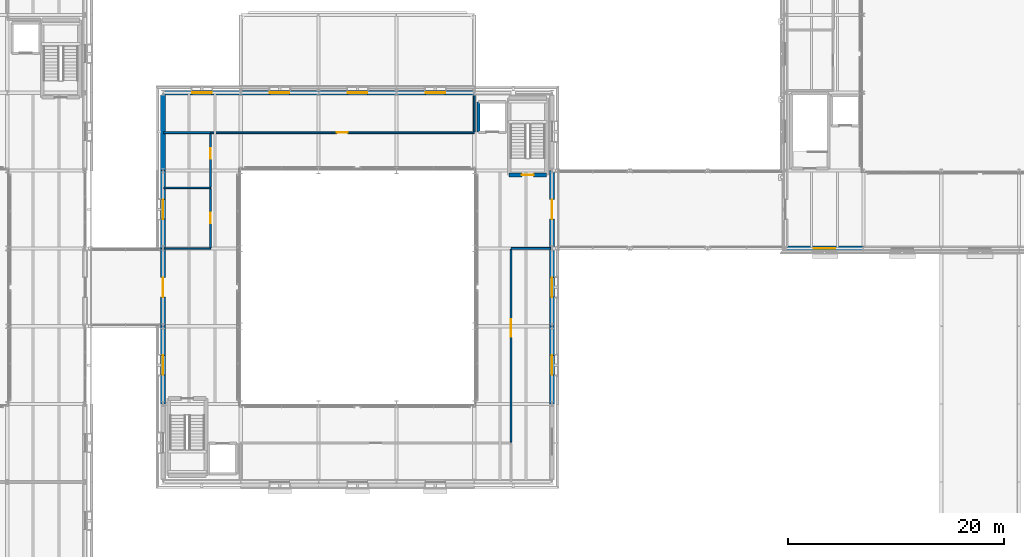
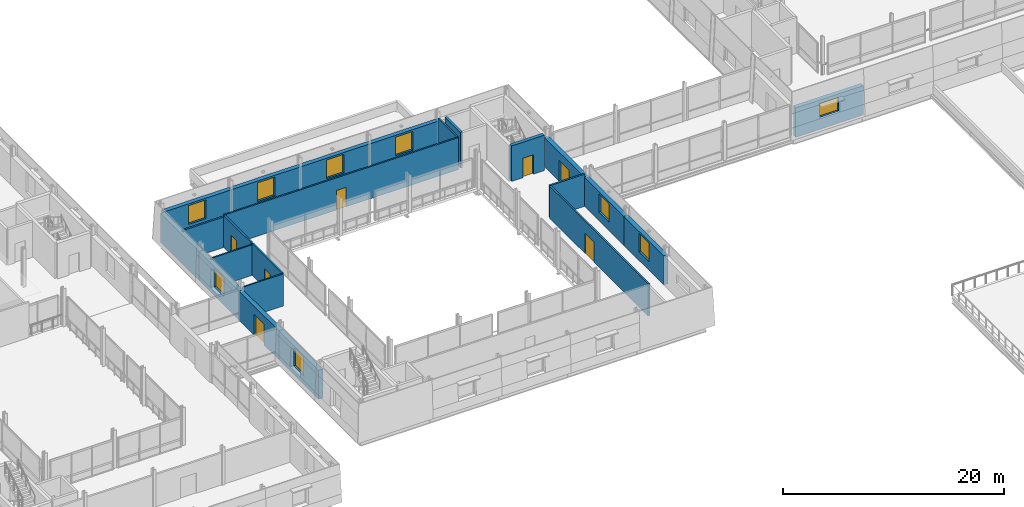
# One storey, part 73 of 115: 23 walls, 9 windows, 7 doors, 16 openings.
"""IFC4 building model written with IfcOpenShell, lengths in metres."""

from ifc_helpers import new_model, si_unit, direction, frame, frame_2d, origin, place, context, subcontext, project, spatial, rectangle, extrude, material, layer, layer_set, type_object, element, fill, save


model = new_model("IFC4")

# Units and contexts
model_context = context("Model", 3, precision=1e-05, world=origin(), true_north=direction((0.0, 1.0)))
body_context = subcontext(model_context, "Body", "Model", "MODEL_VIEW")
ifc_project = project(units=[si_unit("LENGTHUNIT", "METRE"), si_unit("AREAUNIT", "SQUARE_METRE"), si_unit("VOLUMEUNIT", "CUBIC_METRE"), si_unit("PLANEANGLEUNIT", "RADIAN"), si_unit("MASSUNIT", "GRAM", prefix="KILO")], contexts=[model_context])

# Site, building, storey
site_placement = place(None, origin())
site = spatial("IfcSite", under=ifc_project, at=site_placement, CompositionType="ELEMENT")
building_placement = place(site_placement, origin())
building = spatial("IfcBuilding", under=site, at=building_placement, Name="Narikvali Park Central Library", CompositionType="ELEMENT")
storey_placement = place(building_placement, frame((0.0, 0.0, 10.199951171875)))
storey = spatial("IfcBuildingStorey", under=building, at=storey_placement, Name="L02", CompositionType="ELEMENT", Elevation=10.199951171875)

# Walls
ifc_material_1 = material(Name="Moisture-Resistant Cement Board on Steel Studs", Category="steel")
ifc_layer_1 = layer(ifc_material_1, 0.14990234375, Name="Moisture-Resistant Cement Board on Steel Studs")
ifc_layer_set_1 = layer_set([ifc_layer_1], Name="Moisture-Resistant Cement Board on Steel Studs")
wall_type_1 = type_object("IfcWallType", Name="Moisture-Resistant WC Partition 150", PredefinedType="PARTITIONING", material=ifc_layer_set_1)
wall_1_placement = place(storey_placement, frame((64.9541015625, 79.199951171875, 0.0), z_axis=(0.0, 0.0, 1.0), x_axis=(1.0, 0.0, 0.0)))
element("IfcWall", 1, at=wall_1_placement, inside=storey, type_object=wall_type_1, Name="Accessible WC and Restrooms L02 Partition S", PredefinedType="PARTITIONING", context=body_context, shape_type="SweptSolid", body=[
    extrude(rectangle(XDim=4.245849609375, YDim=0.14990234375, at=frame_2d((2.123046875, 0.0))), origin(), (0.0, 0.0, 1.0), 3.545166015625),
])
wall_2_placement = place(storey_placement, frame((64.85498046875, 84.800048828125, 0.0), z_axis=(0.0, 0.0, 1.0), x_axis=(1.0, 0.0, 0.0)))
element("IfcWall", 2, at=wall_2_placement, inside=storey, type_object=wall_type_1, Name="Accessible WC and Restrooms L02 Partition N", PredefinedType="PARTITIONING", context=body_context, shape_type="SweptSolid", body=[
    extrude(rectangle(XDim=4.344970703125, YDim=0.14990234375, at=frame_2d((2.17236328125, 0.0))), origin(), (0.0, 0.0, 1.0), 3.35498046875),
])

# Wall, opening, door
wall_3_placement = place(storey_placement, frame((69.199951171875, 79.277099609375, 0.0), z_axis=(0.0, 0.0, 1.0), x_axis=(0.0, 1.0, 0.0)))
wall_3 = element("IfcWall", 3, at=wall_3_placement, inside=storey, type_object=wall_type_1, Name="Accessible WC and Restrooms L02 Partition E", PredefinedType="PARTITIONING", context=body_context, shape_type="SweptSolid", body=[
    extrude(rectangle(XDim=5.44580078125, YDim=0.14990234375, at=frame_2d((2.722900390625, 0.0))), origin(), (0.0, 0.0, 1.0), 3.545166015625),
])
opening_1_placement = place(wall_3_placement, frame((2.23291015625, 0.0, 0.0)))
opening_1 = element("IfcOpeningElement", 4, at=opening_1_placement, cuts=wall_3, Name="Opening ID-0003", PredefinedType="OPENING", context=body_context, shape_type="SweptSolid", body=[
    extrude(rectangle(XDim=0.97998046875, YDim=2.10009765625, at=frame_2d((0.489990234375, 1.050048828125))), frame((0.0, 0.0869140625, 0.0), z_axis=(0.0, -1.0, 0.0), x_axis=(1.0, 0.0, 0.0)), (0.0, 0.0, 1.0), 0.173828125),
])
ifc_material_2 = material(Name="Laminate Faced Hardwood Core", Category="wood")
door_type_1 = type_object("IfcDoorType", Name="Accessible WC Outward-Opening Door 980x2100", OperationType="SINGLE_SWING_RIGHT", PredefinedType="DOOR", material=ifc_material_2)
door_1_placement = place(opening_1_placement, frame((0.97998046875, 0.0, 0.0), z_axis=(0.0, 0.0, 1.0), x_axis=(-1.0, 0.0, 0.0)))
door_1 = element("IfcDoor", 5, at=door_1_placement, inside=storey, type_object=door_type_1, Name="Accessible WC and Restrooms L02 Door ID-0003", OperationType="SINGLE_SWING_LEFT", OverallHeight=2.10009765625, OverallWidth=0.97998046875, PredefinedType="DOOR", context=body_context, shape_type="SweptSolid", body=[
    extrude(rectangle(XDim=0.97998046875, YDim=2.10009765625, at=frame_2d((0.489990234375, 1.050048828125))), frame((0.0, 0.02490234375, 0.0), z_axis=(0.0, -1.0, 0.0), x_axis=(1.0, 0.0, 0.0)), (0.0, 0.0, 1.0), 0.050048828125),
])
fill(opening_1, door_1)

# Walls
ifc_material_3 = material(Name="Acoustic Gypsum on Steel Studs", Category="steel")
ifc_layer_2 = layer(ifc_material_3, 0.179931640625, Name="Acoustic Gypsum on Steel Studs")
ifc_layer_set_2 = layer_set([ifc_layer_2], Name="Acoustic Gypsum on Steel Studs")
wall_type_2 = type_object("IfcWallType", Name="Reading Room Acoustic Partition 180", PredefinedType="PARTITIONING", material=ifc_layer_set_2)
wall_4_placement = place(storey_placement, frame((97.0, 79.199951171875, 0.0), z_axis=(0.0, 0.0, 1.0), x_axis=(1.0, 0.0, 0.0)))
element("IfcWall", 6, at=wall_4_placement, inside=storey, type_object=wall_type_2, Name="Mezzanine East Open Stacks Gallery Partition N", PredefinedType="PARTITIONING", context=body_context, shape_type="SweptSolid", body=[
    extrude(rectangle(XDim=3.64599609375, YDim=0.179931640625, at=frame_2d((1.822998046875, 0.0))), origin(), (0.0, 0.0, 1.0), 3.545166015625),
])
wall_5_placement = place(storey_placement, frame((64.85498046875, 89.89990234375, 0.0), z_axis=(0.0, 0.0, 1.0), x_axis=(1.0, 0.0, 0.0)))
element("IfcWall", 7, at=wall_5_placement, inside=storey, type_object=wall_type_2, Name="Mezzanine Archival Supply Closet Partition N", PredefinedType="PARTITIONING", context=body_context, shape_type="SweptSolid", body=[
    extrude(rectangle(XDim=4.344970703125, YDim=0.179931640625, at=frame_2d((2.17236328125, 0.0))), origin(), (0.0, 0.0, 1.0), 3.35498046875),
])

# Wall, opening, door
wall_6_placement = place(storey_placement, frame((97.0, 61.281982421875, 0.0), z_axis=(0.0, 0.0, 1.0), x_axis=(0.0, 1.0, 0.0)))
wall_6 = element("IfcWall", 8, at=wall_6_placement, inside=storey, type_object=wall_type_2, Name="Mezzanine East Open Stacks Gallery Partition W", PredefinedType="PARTITIONING", context=body_context, shape_type="SweptSolid", body=[
    extrude(rectangle(XDim=17.825927734375, YDim=0.179931640625, at=frame_2d((8.9130859375, 0.0))), origin(), (0.0, 0.0, 1.0), 3.545166015625),
])
opening_2_placement = place(wall_6_placement, frame((9.72705078125, 0.0, 0.0)))
opening_2 = element("IfcOpeningElement", 9, at=opening_2_placement, cuts=wall_6, Name="Opening ID-0043", PredefinedType="OPENING", context=body_context, shape_type="SweptSolid", body=[
    extrude(rectangle(XDim=1.64990234375, YDim=2.25, at=frame_2d((0.824951171875, 1.125))), frame((0.0, 0.10205078125, 0.0), z_axis=(0.0, -1.0, 0.0), x_axis=(1.0, 0.0, 0.0)), (0.0, 0.0, 1.0), 0.203857421875),
])
ifc_material_4 = material(Name="Caucasian Oak and Tempered Glass", Category="glass")
door_type_2 = type_object("IfcDoorType", Name="Open Stacks Double Glazed Door 1650x2250", OperationType="DOUBLE_DOOR_SINGLE_SWING", PredefinedType="DOOR", material=ifc_material_4)
door_2_placement = place(opening_2_placement, frame((1.64990234375, 0.0, 0.0), z_axis=(0.0, 0.0, 1.0), x_axis=(-1.0, 0.0, 0.0)))
door_2 = element("IfcDoor", 10, at=door_2_placement, inside=storey, type_object=door_type_2, Name="Mezzanine East Open Stacks Gallery Door ID-0043", OperationType="DOUBLE_DOOR_SINGLE_SWING", OverallHeight=2.25, OverallWidth=1.64990234375, PredefinedType="DOOR", context=body_context, shape_type="SweptSolid", body=[
    extrude(rectangle(XDim=1.64990234375, YDim=2.25, at=frame_2d((0.824951171875, 1.125))), frame((0.0, 0.02490234375, 0.0), z_axis=(0.0, -1.0, 0.0), x_axis=(1.0, 0.0, 0.0)), (0.0, 0.0, 1.0), 0.050048828125),
])
fill(opening_2, door_2)

wall_7_placement = place(storey_placement, frame((69.199951171875, 84.876953125, 0.0), z_axis=(0.0, 0.0, 1.0), x_axis=(0.0, 1.0, 0.0)))
wall_7 = element("IfcWall", 11, at=wall_7_placement, inside=storey, type_object=wall_type_2, Name="Mezzanine Archival Supply Closet Partition E", PredefinedType="PARTITIONING", context=body_context, shape_type="SweptSolid", body=[
    extrude(rectangle(XDim=4.93115234375, YDim=0.179931640625, at=frame_2d((2.465576171875, 0.0))), origin(), (0.0, 0.0, 1.0), 3.545166015625),
])
opening_3_placement = place(wall_7_placement, frame((2.60693359375, 0.0, 0.0)))
opening_3 = element("IfcOpeningElement", 12, at=opening_3_placement, cuts=wall_7, Name="Opening ID-0044", PredefinedType="OPENING", context=body_context, shape_type="SweptSolid", body=[
    extrude(rectangle(XDim=1.0, YDim=2.14990234375, at=frame_2d((0.5, 1.074951171875))), frame((0.0, 0.10205078125, 0.0), z_axis=(0.0, -1.0, 0.0), x_axis=(1.0, 0.0, 0.0)), (0.0, 0.0, 1.0), 0.203857421875),
])
ifc_material_5 = material(Name="Solid Caucasian Oak")
door_type_3 = type_object("IfcDoorType", Name="Study Room Single Oak Door 1000x2150", OperationType="SINGLE_SWING_LEFT", PredefinedType="DOOR", material=ifc_material_5)
door_3_placement = place(opening_3_placement, origin())
door_3 = element("IfcDoor", 13, at=door_3_placement, inside=storey, type_object=door_type_3, Name="Mezzanine Archival Supply Closet Door ID-0044", OperationType="SINGLE_SWING_RIGHT", OverallHeight=2.14990234375, OverallWidth=1.0, PredefinedType="DOOR", context=body_context, shape_type="SweptSolid", body=[
    extrude(rectangle(XDim=1.0, YDim=2.14990234375, at=frame_2d((0.5, 1.074951171875))), frame((0.0, 0.02490234375, 0.0), z_axis=(0.0, -1.0, 0.0), x_axis=(1.0, 0.0, 0.0)), (0.0, 0.0, 1.0), 0.050048828125),
])
fill(opening_3, door_3)

ifc_material_6 = material(Name="Concrete C40/50", Category="concrete")
ifc_layer_3 = layer(ifc_material_6, 0.35009765625, Name="Concrete C40/50")
ifc_layer_set_3 = layer_set([ifc_layer_3], Name="Concrete C40/50")
wall_type_3 = type_object("IfcWallType", Name="Reinforced Concrete Core Shear Wall 350", PredefinedType="SHEAR", material=ifc_layer_set_3)
wall_8_placement = place(storey_placement, frame((96.830078125, 85.97998046875, 0.0), z_axis=(0.0, 0.0, 1.0), x_axis=(1.0, 0.0, 0.0)))
wall_8 = element("IfcWall", 14, at=wall_8_placement, inside=storey, type_object=wall_type_3, Name="C1B L02 Stair Core Shear Wall S", PredefinedType="SHEAR", context=body_context, shape_type="SweptSolid", body=[
    extrude(rectangle(XDim=3.43994140625, YDim=0.35009765625, at=frame_2d((1.719970703125, 0.0))), origin(), (0.0, 0.0, 1.0), 3.920166015625),
])
opening_4_placement = place(wall_8_placement, frame((1.169921875, 0.0, 0.0)))
opening_4 = element("IfcOpeningElement", 15, at=opening_4_placement, cuts=wall_8, Name="Opening SD-009", PredefinedType="OPENING", context=body_context, shape_type="SweptSolid", body=[
    extrude(rectangle(XDim=1.10009765625, YDim=2.14990234375, at=frame_2d((0.550048828125, 1.074951171875))), frame((0.0, 0.18701171875, 0.0), z_axis=(0.0, -1.0, 0.0), x_axis=(1.0, 0.0, 0.0)), (0.0, 0.0, 1.0), 0.3740234375),
])
ifc_material_7 = material(Name="Powder-Coated Steel S275 Fire Leaf", Category="steel")
door_type_4 = type_object("IfcDoorType", Name="Stair Core Smoke-Control Fire Door 1100x2150", OperationType="SINGLE_SWING_LEFT", PredefinedType="DOOR", material=ifc_material_7)
door_4_placement = place(opening_4_placement, frame((1.10009765625, 0.0, 0.0), z_axis=(0.0, 0.0, 1.0), x_axis=(-1.0, 0.0, 0.0)))
door_4 = element("IfcDoor", 16, at=door_4_placement, inside=storey, type_object=door_type_4, Name="ST-02 L02 Stair Exit Door SD-009", OperationType="SINGLE_SWING_LEFT", OverallHeight=2.14990234375, OverallWidth=1.10009765625, PredefinedType="DOOR", context=body_context, shape_type="SweptSolid", body=[
    extrude(rectangle(XDim=1.10009765625, YDim=2.14990234375, at=frame_2d((0.550048828125, 1.074951171875))), frame((0.0, 0.02490234375, 0.0), z_axis=(0.0, -1.0, 0.0), x_axis=(1.0, 0.0, 0.0)), (0.0, 0.0, 1.0), 0.050048828125),
])
fill(opening_4, door_4)

# Wall
ifc_layer_4 = layer(ifc_material_6, 0.25, Name="Concrete C40/50")
ifc_layer_set_4 = layer_set([ifc_layer_4], Name="Concrete C40/50")
wall_type_4 = type_object("IfcWallType", Name="Reinforced Concrete Lift Shaft Wall 250", PredefinedType="SHEAR", material=ifc_layer_set_4)
wall_9_placement = place(storey_placement, frame((94.0, 92.75, 0.0), z_axis=(0.0, 0.0, 1.0), x_axis=(0.0, -1.0, 0.0)))
element("IfcWall", 17, at=wall_9_placement, inside=storey, type_object=wall_type_4, Name="L-02 L02 Lift Shaft Wall W", PredefinedType="SHEAR", context=body_context, shape_type="SweptSolid", body=[
    extrude(rectangle(XDim=2.800048828125, YDim=0.25, at=frame_2d((1.39990234375, 0.0))), origin(), (0.0, 0.0, 1.0), 3.920166015625),
])

# Wall, opening, door
ifc_material_8 = material(Name="Gypsum Board on Galvanised Steel Studs", Category="steel")
ifc_layer_5 = layer(ifc_material_8, 0.159912109375, Name="Gypsum Board on Galvanised Steel Studs")
ifc_layer_set_5 = layer_set([ifc_layer_5], Name="Gypsum Board on Galvanised Steel Studs")
wall_type_5 = type_object("IfcWallType", Name="Study Room Partition Wall 160", PredefinedType="PARTITIONING", material=ifc_layer_set_5)
wall_10_placement = place(storey_placement, frame((69.201904296875, 89.89990234375, 0.0), z_axis=(0.0, 0.0, 1.0), x_axis=(1.0, 0.0, 0.0)))
wall_10 = element("IfcWall", 18, at=wall_10_placement, inside=storey, type_object=wall_type_5, Name="Mezzanine North Study Gallery Partition S", PredefinedType="PARTITIONING", context=body_context, shape_type="SweptSolid", body=[
    extrude(rectangle(XDim=24.398193359375, YDim=0.159912109375, at=frame_2d((12.19921875, 0.0))), origin(), (0.0, 0.0, 1.0), 3.541015625),
])
opening_5_placement = place(wall_10_placement, frame((11.698974609375, 0.0, 0.0)))
opening_5 = element("IfcOpeningElement", 19, at=opening_5_placement, cuts=wall_10, Name="Opening ID-0045", PredefinedType="OPENING", context=body_context, shape_type="SweptSolid", body=[
    extrude(rectangle(XDim=1.0, YDim=2.14990234375, at=frame_2d((0.5, 1.074951171875))), frame((0.0, 0.091796875, 0.0), z_axis=(0.0, -1.0, 0.0), x_axis=(1.0, 0.0, 0.0)), (0.0, 0.0, 1.0), 0.183837890625),
])
door_5_placement = place(opening_5_placement, origin())
door_5 = element("IfcDoor", 20, at=door_5_placement, inside=storey, type_object=door_type_3, Name="Mezzanine North Study Gallery Door ID-0045", OperationType="SINGLE_SWING_LEFT", OverallHeight=2.14990234375, OverallWidth=1.0, PredefinedType="DOOR", context=body_context, shape_type="SweptSolid", body=[
    extrude(rectangle(XDim=1.0, YDim=2.14990234375, at=frame_2d((0.5, 1.074951171875))), frame((0.0, 0.02490234375, 0.0), z_axis=(0.0, -1.0, 0.0), x_axis=(1.0, 0.0, 0.0)), (0.0, 0.0, 1.0), 0.050048828125),
])
fill(opening_5, door_5)

# Wall
wall_11_placement = place(storey_placement, frame((93.60009765625, 89.98193359375, 0.0), z_axis=(0.0, 0.0, 1.0), x_axis=(0.0, 1.0, 0.0)))
element("IfcWall", 21, at=wall_11_placement, inside=storey, type_object=wall_type_5, Name="Mezzanine North Study Gallery Partition E", PredefinedType="PARTITIONING", context=body_context, shape_type="SweptSolid", body=[
    extrude(rectangle(XDim=3.38916015625, YDim=0.159912109375, at=frame_2d((1.694580078125, 0.0))), origin(), (0.0, 0.0, 1.0), 3.554931640625),
])

# Wall, opening, window
ifc_material_9 = material(Name="White Honed Limestone over Concrete C35/45", Category="masonry")
ifc_layer_6 = layer(ifc_material_9, 0.43994140625, Name="White Honed Limestone over Concrete C35/45")
ifc_layer_set_6 = layer_set([ifc_layer_6], Name="White Honed Limestone over Concrete C35/45")
wall_type_6 = type_object("IfcWallType", Name="White Limestone Battered Tier2 Wall 440", PredefinedType="SOLIDWALL", material=ifc_layer_set_6)
wall_12_placement = place(storey_placement, frame((100.800048828125, 64.800048828125, 0.0), z_axis=(0.0, 0.0, 1.0), x_axis=(0.0, 1.0, 0.0)))
wall_12 = element("IfcWall", 22, at=wall_12_placement, inside=storey, type_object=wall_type_6, Name="V1 L02 E Exterior Limestone Wall B02", PredefinedType="SOLIDWALL", context=body_context, shape_type="SweptSolid", body=[
    extrude(rectangle(XDim=7.199951171875, YDim=0.43994140625, at=frame_2d((3.60009765625, 0.0))), origin(), (0.0, 0.0, 1.0), 3.199951171875),
])
opening_6_placement = place(wall_12_placement, frame((2.699951171875, 0.0, 0.949951171875)))
opening_6 = element("IfcOpeningElement", 23, at=opening_6_placement, cuts=wall_12, Name="Opening WIN-0027", PredefinedType="OPENING", context=body_context, shape_type="SweptSolid", body=[
    extrude(rectangle(XDim=1.800048828125, YDim=2.050048828125, at=frame_2d((0.89990234375, 1.02490234375))), frame((0.0, 0.23193359375, 0.0), z_axis=(0.0, -1.0, 0.0), x_axis=(1.0, 0.0, 0.0)), (0.0, 0.0, 1.0), 0.4638671875),
])
ifc_material_10 = material(Name="Anodised Bronze Aluminium and Low-E Triple Glazing", Category="aluminium")
window_type_1 = type_object("IfcWindowType", Name="Rotunda Mezzanine Deep-Set Window 1800x2050", PartitioningType="DOUBLE_PANEL_VERTICAL", PredefinedType="WINDOW", material=ifc_material_10)
window_1_placement = place(opening_6_placement, origin())
window_1 = element("IfcWindow", 24, at=window_1_placement, inside=storey, type_object=window_type_1, Name="V1 L02 E Deep-Reveal Window WIN-0027", OverallHeight=2.050048828125, OverallWidth=1.800048828125, PartitioningType="SINGLE_PANEL", PredefinedType="WINDOW", context=body_context, shape_type="SweptSolid", body=[
    extrude(rectangle(XDim=1.800048828125, YDim=2.050048828125, at=frame_2d((0.89990234375, 1.02490234375))), frame((0.0, 0.030029296875, 0.0), z_axis=(0.0, -1.0, 0.0), x_axis=(1.0, 0.0, 0.0)), (0.0, 0.0, 1.0), 0.06005859375),
])
fill(opening_6, window_1)

wall_13_placement = place(storey_placement, frame((100.800048828125, 72.0, 0.0), z_axis=(0.0, 0.0, 1.0), x_axis=(0.0, 1.0, 0.0)))
wall_13 = element("IfcWall", 25, at=wall_13_placement, inside=storey, type_object=wall_type_6, Name="V1 L02 E Exterior Limestone Wall B03", PredefinedType="SOLIDWALL", context=body_context, shape_type="SweptSolid", body=[
    extrude(rectangle(XDim=7.199951171875, YDim=0.43994140625, at=frame_2d((3.60009765625, 0.0))), origin(), (0.0, 0.0, 1.0), 3.199951171875),
])
opening_7_placement = place(wall_13_placement, frame((2.699951171875, 0.0, 0.949951171875)))
opening_7 = element("IfcOpeningElement", 26, at=opening_7_placement, cuts=wall_13, Name="Opening WIN-0028", PredefinedType="OPENING", context=body_context, shape_type="SweptSolid", body=[
    extrude(rectangle(XDim=1.800048828125, YDim=2.050048828125, at=frame_2d((0.89990234375, 1.02490234375))), frame((0.0, 0.23193359375, 0.0), z_axis=(0.0, -1.0, 0.0), x_axis=(1.0, 0.0, 0.0)), (0.0, 0.0, 1.0), 0.4638671875),
])
window_2_placement = place(opening_7_placement, origin())
window_2 = element("IfcWindow", 27, at=window_2_placement, inside=storey, type_object=window_type_1, Name="V1 L02 E Deep-Reveal Window WIN-0028", OverallHeight=2.050048828125, OverallWidth=1.800048828125, PartitioningType="SINGLE_PANEL", PredefinedType="WINDOW", context=body_context, shape_type="SweptSolid", body=[
    extrude(rectangle(XDim=1.800048828125, YDim=2.050048828125, at=frame_2d((0.89990234375, 1.02490234375))), frame((0.0, 0.030029296875, 0.0), z_axis=(0.0, -1.0, 0.0), x_axis=(1.0, 0.0, 0.0)), (0.0, 0.0, 1.0), 0.06005859375),
])
fill(opening_7, window_2)

# Wall, opening, door
wall_14_placement = place(storey_placement, frame((100.800048828125, 79.199951171875, 0.0), z_axis=(0.0, 0.0, 1.0), x_axis=(0.0, 1.0, 0.0)))
wall_14 = element("IfcWall", 28, at=wall_14_placement, inside=storey, type_object=wall_type_6, Name="V1 L02 E Exterior Limestone Wall B04", PredefinedType="SOLIDWALL", context=body_context, shape_type="SweptSolid", body=[
    extrude(rectangle(XDim=7.199951171875, YDim=0.43994140625, at=frame_2d((3.60009765625, 0.0))), origin(), (0.0, 0.0, 1.0), 3.199951171875),
])
opening_8_placement = place(wall_14_placement, frame((2.699951171875, 0.0, 0.0)))
opening_8 = element("IfcOpeningElement", 29, at=opening_8_placement, cuts=wall_14, Name="Opening BD-009", PredefinedType="OPENING", context=body_context, shape_type="SweptSolid", body=[
    extrude(rectangle(XDim=1.800048828125, YDim=2.300048828125, at=frame_2d((0.89990234375, 1.14990234375))), frame((0.0, 0.23193359375, 0.0), z_axis=(0.0, -1.0, 0.0), x_axis=(1.0, 0.0, 0.0)), (0.0, 0.0, 1.0), 0.4638671875),
])
ifc_material_11 = material(Name="Fire-Rated Glazing in Steel S275 Frame", Category="steel")
door_type_5 = type_object("IfcDoorType", Name="Glazed Double Corridor Bridge Fire Door 1800x2300", OperationType="DOUBLE_DOOR_SINGLE_SWING", PredefinedType="DOOR", material=ifc_material_11)
door_6_placement = place(opening_8_placement, origin())
door_6 = element("IfcDoor", 30, at=door_6_placement, inside=storey, type_object=door_type_5, Name="V1 L02 Covered Bridge Fire Door BD-009", OperationType="DOUBLE_DOOR_SINGLE_SWING", OverallHeight=2.300048828125, OverallWidth=1.800048828125, PredefinedType="DOOR", context=body_context, shape_type="SweptSolid", body=[
    extrude(rectangle(XDim=1.800048828125, YDim=2.300048828125, at=frame_2d((0.89990234375, 1.14990234375))), frame((0.0, 0.02490234375, 0.0), z_axis=(0.0, -1.0, 0.0), x_axis=(1.0, 0.0, 0.0)), (0.0, 0.0, 1.0), 0.050048828125),
])
fill(opening_8, door_6)

# Wall, opening, window
wall_15_placement = place(storey_placement, frame((93.60009765625, 93.60009765625, 0.0), z_axis=(0.0, 0.0, 1.0), x_axis=(-1.0, 0.0, 0.0)))
wall_15 = element("IfcWall", 31, at=wall_15_placement, inside=storey, type_object=wall_type_6, Name="V1 L02 N Exterior Limestone Wall B02", PredefinedType="SOLIDWALL", context=body_context, shape_type="SweptSolid", body=[
    extrude(rectangle(XDim=7.2001953125, YDim=0.43994140625, at=frame_2d((3.60009765625, 0.0))), origin(), (0.0, 0.0, 1.0), 3.199951171875),
])
opening_9_placement = place(wall_15_placement, frame((2.699951171875, 0.0, 0.949951171875)))
opening_9 = element("IfcOpeningElement", 32, at=opening_9_placement, cuts=wall_15, Name="Opening WIN-0030", PredefinedType="OPENING", context=body_context, shape_type="SweptSolid", body=[
    extrude(rectangle(XDim=1.800048828125, YDim=2.050048828125, at=frame_2d((0.89990234375, 1.02490234375))), frame((0.0, 0.23193359375, 0.0), z_axis=(0.0, -1.0, 0.0), x_axis=(1.0, 0.0, 0.0)), (0.0, 0.0, 1.0), 0.4638671875),
])
window_3_placement = place(opening_9_placement, origin())
window_3 = element("IfcWindow", 33, at=window_3_placement, inside=storey, type_object=window_type_1, Name="V1 L02 N Deep-Reveal Window WIN-0030", OverallHeight=2.050048828125, OverallWidth=1.800048828125, PartitioningType="SINGLE_PANEL", PredefinedType="WINDOW", context=body_context, shape_type="SweptSolid", body=[
    extrude(rectangle(XDim=1.800048828125, YDim=2.050048828125, at=frame_2d((0.89990234375, 1.02490234375))), frame((0.0, 0.030029296875, 0.0), z_axis=(0.0, -1.0, 0.0), x_axis=(1.0, 0.0, 0.0)), (0.0, 0.0, 1.0), 0.06005859375),
])
fill(opening_9, window_3)

wall_16_placement = place(storey_placement, frame((86.39990234375, 93.60009765625, 0.0), z_axis=(0.0, 0.0, 1.0), x_axis=(-1.0, 0.0, 0.0)))
wall_16 = element("IfcWall", 34, at=wall_16_placement, inside=storey, type_object=wall_type_6, Name="V1 L02 N Exterior Limestone Wall B03", PredefinedType="SOLIDWALL", context=body_context, shape_type="SweptSolid", body=[
    extrude(rectangle(XDim=7.199951171875, YDim=0.43994140625, at=frame_2d((3.60009765625, 0.0))), origin(), (0.0, 0.0, 1.0), 3.199951171875),
])
opening_10_placement = place(wall_16_placement, frame((2.699951171875, 0.0, 0.949951171875)))
opening_10 = element("IfcOpeningElement", 35, at=opening_10_placement, cuts=wall_16, Name="Opening WIN-0031", PredefinedType="OPENING", context=body_context, shape_type="SweptSolid", body=[
    extrude(rectangle(XDim=1.800048828125, YDim=2.050048828125, at=frame_2d((0.89990234375, 1.02490234375))), frame((0.0, 0.23193359375, 0.0), z_axis=(0.0, -1.0, 0.0), x_axis=(1.0, 0.0, 0.0)), (0.0, 0.0, 1.0), 0.4638671875),
])
window_4_placement = place(opening_10_placement, origin())
window_4 = element("IfcWindow", 36, at=window_4_placement, inside=storey, type_object=window_type_1, Name="V1 L02 N Deep-Reveal Window WIN-0031", OverallHeight=2.050048828125, OverallWidth=1.800048828125, PartitioningType="SINGLE_PANEL", PredefinedType="WINDOW", context=body_context, shape_type="SweptSolid", body=[
    extrude(rectangle(XDim=1.800048828125, YDim=2.050048828125, at=frame_2d((0.89990234375, 1.02490234375))), frame((0.0, 0.030029296875, 0.0), z_axis=(0.0, -1.0, 0.0), x_axis=(1.0, 0.0, 0.0)), (0.0, 0.0, 1.0), 0.06005859375),
])
fill(opening_10, window_4)

wall_17_placement = place(storey_placement, frame((79.199951171875, 93.60009765625, 0.0), z_axis=(0.0, 0.0, 1.0), x_axis=(-1.0, 0.0, 0.0)))
wall_17 = element("IfcWall", 37, at=wall_17_placement, inside=storey, type_object=wall_type_6, Name="V1 L02 N Exterior Limestone Wall B04", PredefinedType="SOLIDWALL", context=body_context, shape_type="SweptSolid", body=[
    extrude(rectangle(XDim=7.199951171875, YDim=0.43994140625, at=frame_2d((3.60009765625, 0.0))), origin(), (0.0, 0.0, 1.0), 3.199951171875),
])
opening_11_placement = place(wall_17_placement, frame((2.699951171875, 0.0, 0.949951171875)))
opening_11 = element("IfcOpeningElement", 38, at=opening_11_placement, cuts=wall_17, Name="Opening WIN-0032", PredefinedType="OPENING", context=body_context, shape_type="SweptSolid", body=[
    extrude(rectangle(XDim=1.800048828125, YDim=2.050048828125, at=frame_2d((0.89990234375, 1.02490234375))), frame((0.0, 0.23193359375, 0.0), z_axis=(0.0, -1.0, 0.0), x_axis=(1.0, 0.0, 0.0)), (0.0, 0.0, 1.0), 0.4638671875),
])
window_5_placement = place(opening_11_placement, origin())
window_5 = element("IfcWindow", 39, at=window_5_placement, inside=storey, type_object=window_type_1, Name="V1 L02 N Deep-Reveal Window WIN-0032", OverallHeight=2.050048828125, OverallWidth=1.800048828125, PartitioningType="SINGLE_PANEL", PredefinedType="WINDOW", context=body_context, shape_type="SweptSolid", body=[
    extrude(rectangle(XDim=1.800048828125, YDim=2.050048828125, at=frame_2d((0.89990234375, 1.02490234375))), frame((0.0, 0.030029296875, 0.0), z_axis=(0.0, -1.0, 0.0), x_axis=(1.0, 0.0, 0.0)), (0.0, 0.0, 1.0), 0.06005859375),
])
fill(opening_11, window_5)

wall_18_placement = place(storey_placement, frame((72.0, 93.60009765625, 0.0), z_axis=(0.0, 0.0, 1.0), x_axis=(-1.0, 0.0, 0.0)))
wall_18 = element("IfcWall", 40, at=wall_18_placement, inside=storey, type_object=wall_type_6, Name="V1 L02 N Exterior Limestone Wall B05", PredefinedType="SOLIDWALL", context=body_context, shape_type="SweptSolid", body=[
    extrude(rectangle(XDim=7.0458984375, YDim=0.43994140625, at=frame_2d((3.52294921875, 0.0))), origin(), (0.0, 0.0, 1.0), 3.199951171875),
])
opening_12_placement = place(wall_18_placement, frame((2.699951171875, 0.0, 0.949951171875)))
opening_12 = element("IfcOpeningElement", 41, at=opening_12_placement, cuts=wall_18, Name="Opening WIN-0033", PredefinedType="OPENING", context=body_context, shape_type="SweptSolid", body=[
    extrude(rectangle(XDim=1.800048828125, YDim=2.050048828125, at=frame_2d((0.89990234375, 1.02490234375))), frame((0.0, 0.23193359375, 0.0), z_axis=(0.0, -1.0, 0.0), x_axis=(1.0, 0.0, 0.0)), (0.0, 0.0, 1.0), 0.4638671875),
])
window_6_placement = place(opening_12_placement, origin())
window_6 = element("IfcWindow", 42, at=window_6_placement, inside=storey, type_object=window_type_1, Name="V1 L02 N Deep-Reveal Window WIN-0033", OverallHeight=2.050048828125, OverallWidth=1.800048828125, PartitioningType="SINGLE_PANEL", PredefinedType="WINDOW", context=body_context, shape_type="SweptSolid", body=[
    extrude(rectangle(XDim=1.800048828125, YDim=2.050048828125, at=frame_2d((0.89990234375, 1.02490234375))), frame((0.0, 0.030029296875, 0.0), z_axis=(0.0, -1.0, 0.0), x_axis=(1.0, 0.0, 0.0)), (0.0, 0.0, 1.0), 0.06005859375),
])
fill(opening_12, window_6)

# Wall
wall_19_placement = place(storey_placement, frame((64.800048828125, 93.37109375, 0.0), z_axis=(0.0, 0.0, 1.0), x_axis=(0.0, -1.0, 0.0)))
element("IfcWall", 43, at=wall_19_placement, inside=storey, type_object=wall_type_6, Name="V1 L02 W Exterior Limestone Wall B01", PredefinedType="SOLIDWALL", context=body_context, shape_type="SweptSolid", body=[
    extrude(rectangle(XDim=6.97119140625, YDim=0.43994140625, at=frame_2d((3.485595703125, 0.0))), origin(), (0.0, 0.0, 1.0), 3.199951171875),
])

# Wall, opening, window
wall_20_placement = place(storey_placement, frame((64.800048828125, 86.39990234375, 0.0), z_axis=(0.0, 0.0, 1.0), x_axis=(0.0, -1.0, 0.0)))
wall_20 = element("IfcWall", 44, at=wall_20_placement, inside=storey, type_object=wall_type_6, Name="V1 L02 W Exterior Limestone Wall B02", PredefinedType="SOLIDWALL", context=body_context, shape_type="SweptSolid", body=[
    extrude(rectangle(XDim=7.199951171875, YDim=0.43994140625, at=frame_2d((3.60009765625, 0.0))), origin(), (0.0, 0.0, 1.0), 3.199951171875),
])
opening_13_placement = place(wall_20_placement, frame((2.699951171875, 0.0, 0.949951171875)))
opening_13 = element("IfcOpeningElement", 45, at=opening_13_placement, cuts=wall_20, Name="Opening WIN-0034", PredefinedType="OPENING", context=body_context, shape_type="SweptSolid", body=[
    extrude(rectangle(XDim=1.800048828125, YDim=2.050048828125, at=frame_2d((0.89990234375, 1.02490234375))), frame((0.0, 0.23193359375, 0.0), z_axis=(0.0, -1.0, 0.0), x_axis=(1.0, 0.0, 0.0)), (0.0, 0.0, 1.0), 0.4638671875),
])
window_7_placement = place(opening_13_placement, origin())
window_7 = element("IfcWindow", 46, at=window_7_placement, inside=storey, type_object=window_type_1, Name="V1 L02 W Deep-Reveal Window WIN-0034", OverallHeight=2.050048828125, OverallWidth=1.800048828125, PartitioningType="SINGLE_PANEL", PredefinedType="WINDOW", context=body_context, shape_type="SweptSolid", body=[
    extrude(rectangle(XDim=1.800048828125, YDim=2.050048828125, at=frame_2d((0.89990234375, 1.02490234375))), frame((0.0, 0.030029296875, 0.0), z_axis=(0.0, -1.0, 0.0), x_axis=(1.0, 0.0, 0.0)), (0.0, 0.0, 1.0), 0.06005859375),
])
fill(opening_13, window_7)

# Wall, opening, door
wall_21_placement = place(storey_placement, frame((64.800048828125, 79.199951171875, 0.0), z_axis=(0.0, 0.0, 1.0), x_axis=(0.0, -1.0, 0.0)))
wall_21 = element("IfcWall", 47, at=wall_21_placement, inside=storey, type_object=wall_type_6, Name="V1 L02 W Exterior Limestone Wall B03", PredefinedType="SOLIDWALL", context=body_context, shape_type="SweptSolid", body=[
    extrude(rectangle(XDim=7.199951171875, YDim=0.43994140625, at=frame_2d((3.60009765625, 0.0))), origin(), (0.0, 0.0, 1.0), 3.199951171875),
])
opening_14_placement = place(wall_21_placement, frame((2.699951171875, 0.0, 0.0)))
opening_14 = element("IfcOpeningElement", 48, at=opening_14_placement, cuts=wall_21, Name="Opening BD-010", PredefinedType="OPENING", context=body_context, shape_type="SweptSolid", body=[
    extrude(rectangle(XDim=1.800048828125, YDim=2.300048828125, at=frame_2d((0.89990234375, 1.14990234375))), frame((0.0, 0.23193359375, 0.0), z_axis=(0.0, -1.0, 0.0), x_axis=(1.0, 0.0, 0.0)), (0.0, 0.0, 1.0), 0.4638671875),
])
door_7_placement = place(opening_14_placement, origin())
door_7 = element("IfcDoor", 49, at=door_7_placement, inside=storey, type_object=door_type_5, Name="V1 L02 Covered Bridge Fire Door BD-010", OperationType="DOUBLE_DOOR_SINGLE_SWING", OverallHeight=2.300048828125, OverallWidth=1.800048828125, PredefinedType="DOOR", context=body_context, shape_type="SweptSolid", body=[
    extrude(rectangle(XDim=1.800048828125, YDim=2.300048828125, at=frame_2d((0.89990234375, 1.14990234375))), frame((0.0, 0.02490234375, 0.0), z_axis=(0.0, -1.0, 0.0), x_axis=(1.0, 0.0, 0.0)), (0.0, 0.0, 1.0), 0.050048828125),
])
fill(opening_14, door_7)

# Wall, opening, window
wall_22_placement = place(storey_placement, frame((64.800048828125, 72.0, 0.0), z_axis=(0.0, 0.0, 1.0), x_axis=(0.0, -1.0, 0.0)))
wall_22 = element("IfcWall", 50, at=wall_22_placement, inside=storey, type_object=wall_type_6, Name="V1 L02 W Exterior Limestone Wall B04", PredefinedType="SOLIDWALL", context=body_context, shape_type="SweptSolid", body=[
    extrude(rectangle(XDim=7.199951171875, YDim=0.43994140625, at=frame_2d((3.60009765625, 0.0))), origin(), (0.0, 0.0, 1.0), 3.199951171875),
])
opening_15_placement = place(wall_22_placement, frame((2.699951171875, 0.0, 0.949951171875)))
opening_15 = element("IfcOpeningElement", 51, at=opening_15_placement, cuts=wall_22, Name="Opening WIN-0035", PredefinedType="OPENING", context=body_context, shape_type="SweptSolid", body=[
    extrude(rectangle(XDim=1.800048828125, YDim=2.050048828125, at=frame_2d((0.89990234375, 1.02490234375))), frame((0.0, 0.23193359375, 0.0), z_axis=(0.0, -1.0, 0.0), x_axis=(1.0, 0.0, 0.0)), (0.0, 0.0, 1.0), 0.4638671875),
])
window_8_placement = place(opening_15_placement, origin())
window_8 = element("IfcWindow", 52, at=window_8_placement, inside=storey, type_object=window_type_1, Name="V1 L02 W Deep-Reveal Window WIN-0035", OverallHeight=2.050048828125, OverallWidth=1.800048828125, PartitioningType="SINGLE_PANEL", PredefinedType="WINDOW", context=body_context, shape_type="SweptSolid", body=[
    extrude(rectangle(XDim=1.800048828125, YDim=2.050048828125, at=frame_2d((0.89990234375, 1.02490234375))), frame((0.0, 0.030029296875, 0.0), z_axis=(0.0, -1.0, 0.0), x_axis=(1.0, 0.0, 0.0)), (0.0, 0.0, 1.0), 0.06005859375),
])
fill(opening_15, window_8)

wall_23_placement = place(storey_placement, frame((122.533935546875, 79.199951171875, 0.0), z_axis=(0.0, 0.0, 1.0), x_axis=(1.0, 0.0, 0.0)))
wall_23 = element("IfcWall", 53, at=wall_23_placement, inside=storey, type_object=wall_type_6, Name="V3 L02 S Exterior Limestone Wall B01", PredefinedType="SOLIDWALL", context=body_context, shape_type="SweptSolid", body=[
    extrude(rectangle(XDim=7.066162109375, YDim=0.43994140625, at=frame_2d((3.533203125, 0.0))), origin(), (0.0, 0.0, 1.0), 3.239990234375),
])
opening_16_placement = place(wall_23_placement, frame((2.466064453125, 0.0, 1.35009765625)))
opening_16 = element("IfcOpeningElement", 54, at=opening_16_placement, cuts=wall_23, Name="Opening WIN-0107", PredefinedType="OPENING", context=body_context, shape_type="SweptSolid", body=[
    extrude(rectangle(XDim=2.0, YDim=1.5, at=frame_2d((1.0, 0.75))), frame((0.0, 0.23193359375, 0.0), z_axis=(0.0, -1.0, 0.0), x_axis=(1.0, 0.0, 0.0)), (0.0, 0.0, 1.0), 0.4638671875),
])
window_type_2 = type_object("IfcWindowType", Name="Auditorium Acoustic Clerestory Window 2000x1500", PartitioningType="DOUBLE_PANEL_HORIZONTAL", PredefinedType="WINDOW", material=ifc_material_10)
window_9_placement = place(opening_16_placement, origin())
window_9 = element("IfcWindow", 55, at=window_9_placement, inside=storey, type_object=window_type_2, Name="V3 L02 S Deep-Reveal Window WIN-0107", OverallHeight=1.5, OverallWidth=2.0, PartitioningType="SINGLE_PANEL", PredefinedType="WINDOW", context=body_context, shape_type="SweptSolid", body=[
    extrude(rectangle(XDim=2.0, YDim=1.5, at=frame_2d((1.0, 0.75))), frame((0.0, 0.030029296875, 0.0), z_axis=(0.0, -1.0, 0.0), x_axis=(1.0, 0.0, 0.0)), (0.0, 0.0, 1.0), 0.06005859375),
])
fill(opening_16, window_9)

save(model, "model.ifc")
